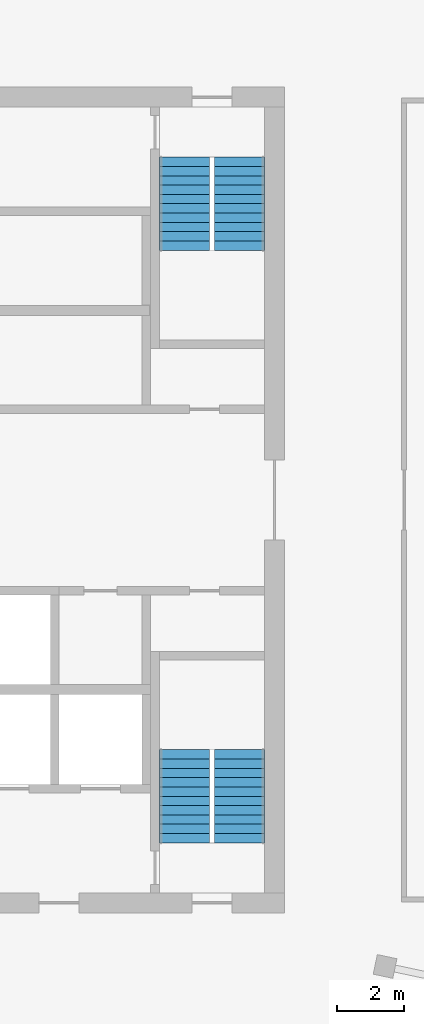
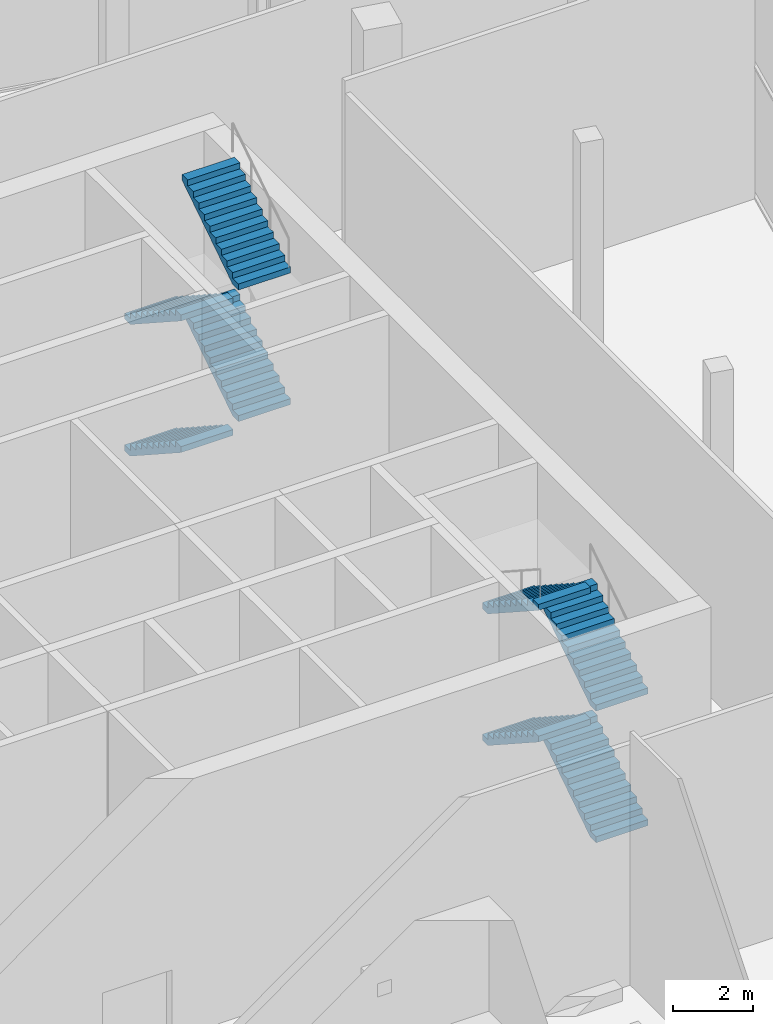
# One storey, part 12 of 14: 8 stair flights, 2 elements without a shape of their own.
"""IFC4 building model written with IfcOpenShell, lengths in metres."""

from ifc_helpers import new_model, si_unit, direction, frame, origin, place, context, subcontext, project, spatial, polyline, outline, extrude, material, type_object, element, aggregate, save


model = new_model("IFC4")

# Units and contexts
model_context = context("Model", 3, precision=1e-05, world=origin(), true_north=direction((0.0, 1.0)))
body_context = subcontext(model_context, "Body", "Model", "MODEL_VIEW")
ifc_project = project(units=[si_unit("LENGTHUNIT", "METRE"), si_unit("AREAUNIT", "SQUARE_METRE"), si_unit("VOLUMEUNIT", "CUBIC_METRE"), si_unit("PLANEANGLEUNIT", "RADIAN"), si_unit("MASSUNIT", "GRAM", prefix="KILO")], contexts=[model_context])

# Site, building, storey
site_placement = place(None, origin())
site = spatial("IfcSite", under=ifc_project, at=site_placement, CompositionType="ELEMENT")
building_placement = place(site_placement, origin())
building = spatial("IfcBuilding", under=site, at=building_placement, Name="Dilmun Exchange Tower", CompositionType="ELEMENT")
storey_placement = place(building_placement, frame((0.0, 0.0, 350.10009765625)))
storey = spatial("IfcBuildingStorey", under=building, at=storey_placement, Name="Crown L83", CompositionType="ELEMENT", Elevation=350.10009765625)

# Stair, stair flights
ifc_material = material(Name="Concrete C40/50", Category="concrete")
stair_type = type_object("IfcStairType", Name="Exit stair 1500 half-turn", PredefinedType="HALF_TURN_STAIR", material=ifc_material)
stair_1_placement = place(storey_placement, origin())
stair_1 = element("IfcStair", 1, at=stair_1_placement, inside=storey, type_object=stair_type, Name="Crown L83 Protected exit stair ST1", PredefinedType="HALF_TURN_STAIR")
stair_flight_type = type_object("IfcStairFlightType", Name="Exit stair flight 1500", PredefinedType="STRAIGHT", material=ifc_material)
stair_flight_1_placement = place(storey_placement, frame((9.39990234375, 10.300048828125, 0.0), z_axis=(0.0, 0.0, 1.0), x_axis=(0.0, -1.0, 0.0)))
stair_flight_1 = element("IfcStairFlight", 2, at=stair_flight_1_placement, type_object=stair_flight_type, Name="ST1 flight 1", NumberOfRisers=11, NumberOfTreads=10, PredefinedType="STRAIGHT", RiserHeight=0.181818182, TreadLength=0.28, context=body_context, shape_type="SweptSolid", body=[
    extrude(outline(polyline([(0.0, 0.0), (0.0, 0.181884765625), (0.280029296875, 0.181884765625), (0.280029296875, 0.363525390625), (0.56005859375, 0.363525390625), (0.56005859375, 0.54541015625), (0.840087890625, 0.54541015625), (0.840087890625, 0.727294921875), (1.1201171875, 0.727294921875), (1.1201171875, 0.9091796875), (1.39990234375, 0.9091796875), (1.39990234375, 1.0908203125), (1.679931640625, 1.0908203125), (1.679931640625, 1.272705078125), (1.9599609375, 1.272705078125), (1.9599609375, 1.45458984375), (2.239990234375, 1.45458984375), (2.239990234375, 1.636474609375), (2.52001953125, 1.636474609375), (2.52001953125, 1.818115234375), (2.800048828125, 1.818115234375), (2.800048828125, 2.0), (2.800048828125, 1.639404296875), (0.275146484375, 0.0), (0.0, 0.0)])), frame((0.0, 0.75, 0.0), z_axis=(0.0, -1.0, 0.0), x_axis=(1.0, 0.0, 0.0)), (0.0, 0.0, 1.0), 1.5),
])
stair_flight_2_placement = place(storey_placement, frame((11.050048828125, 7.5, 2.0), z_axis=(0.0, 0.0, 1.0), x_axis=(0.0, 1.0, 0.0)))
stair_flight_2 = element("IfcStairFlight", 3, at=stair_flight_2_placement, type_object=stair_flight_type, Name="ST1 flight 2", NumberOfRisers=11, NumberOfTreads=10, PredefinedType="STRAIGHT", RiserHeight=0.181818182, TreadLength=0.28, context=body_context, shape_type="SweptSolid", body=[
    extrude(outline(polyline([(0.0, 0.0), (0.0, 0.181884765625), (0.280029296875, 0.181884765625), (0.280029296875, 0.363525390625), (0.56005859375, 0.363525390625), (0.56005859375, 0.54541015625), (0.840087890625, 0.54541015625), (0.840087890625, 0.727294921875), (1.1201171875, 0.727294921875), (1.1201171875, 0.9091796875), (1.39990234375, 0.9091796875), (1.39990234375, 1.0908203125), (1.679931640625, 1.0908203125), (1.679931640625, 1.272705078125), (1.9599609375, 1.272705078125), (1.9599609375, 1.45458984375), (2.239990234375, 1.45458984375), (2.239990234375, 1.636474609375), (2.52001953125, 1.636474609375), (2.52001953125, 1.818115234375), (2.800048828125, 1.818115234375), (2.800048828125, 2.0), (2.800048828125, 1.639404296875), (0.275146484375, 0.0), (0.0, 0.0)])), frame((0.0, 0.75, 0.0), z_axis=(0.0, -1.0, 0.0), x_axis=(1.0, 0.0, 0.0)), (0.0, 0.0, 1.0), 1.5),
])
stair_flight_3_placement = place(storey_placement, frame((9.39990234375, 10.300048828125, 4.0), z_axis=(0.0, 0.0, 1.0), x_axis=(0.0, -1.0, 0.0)))
stair_flight_3 = element("IfcStairFlight", 4, at=stair_flight_3_placement, type_object=stair_flight_type, Name="ST1 flight 3", NumberOfRisers=11, NumberOfTreads=10, PredefinedType="STRAIGHT", RiserHeight=0.181818182, TreadLength=0.28, context=body_context, shape_type="SweptSolid", body=[
    extrude(outline(polyline([(0.0, 0.0), (0.0, 0.181884765625), (0.280029296875, 0.181884765625), (0.280029296875, 0.363525390625), (0.56005859375, 0.363525390625), (0.56005859375, 0.54541015625), (0.840087890625, 0.54541015625), (0.840087890625, 0.727294921875), (1.1201171875, 0.727294921875), (1.1201171875, 0.9091796875), (1.39990234375, 0.9091796875), (1.39990234375, 1.0908203125), (1.679931640625, 1.0908203125), (1.679931640625, 1.272705078125), (1.9599609375, 1.272705078125), (1.9599609375, 1.45458984375), (2.239990234375, 1.45458984375), (2.239990234375, 1.636474609375), (2.52001953125, 1.636474609375), (2.52001953125, 1.818115234375), (2.800048828125, 1.818115234375), (2.800048828125, 2.0), (2.800048828125, 1.639404296875), (0.275146484375, 0.0), (0.0, 0.0)])), frame((0.0, 0.75, 0.0), z_axis=(0.0, -1.0, 0.0), x_axis=(1.0, 0.0, 0.0)), (0.0, 0.0, 1.0), 1.5),
])
stair_flight_4_placement = place(storey_placement, frame((11.050048828125, 7.5, 6.0), z_axis=(0.0, 0.0, 1.0), x_axis=(0.0, 1.0, 0.0)))
stair_flight_4 = element("IfcStairFlight", 5, at=stair_flight_4_placement, type_object=stair_flight_type, Name="ST1 flight 4", NumberOfRisers=11, NumberOfTreads=10, PredefinedType="STRAIGHT", RiserHeight=0.181818182, TreadLength=0.28, context=body_context, shape_type="SweptSolid", body=[
    extrude(outline(polyline([(0.0, 0.0), (0.0, 0.181884765625), (0.280029296875, 0.181884765625), (0.280029296875, 0.363525390625), (0.56005859375, 0.363525390625), (0.56005859375, 0.54541015625), (0.840087890625, 0.54541015625), (0.840087890625, 0.727294921875), (1.1201171875, 0.727294921875), (1.1201171875, 0.9091796875), (1.39990234375, 0.9091796875), (1.39990234375, 1.0908203125), (1.679931640625, 1.0908203125), (1.679931640625, 1.272705078125), (1.9599609375, 1.272705078125), (1.9599609375, 1.45458984375), (2.239990234375, 1.45458984375), (2.239990234375, 1.636474609375), (2.52001953125, 1.636474609375), (2.52001953125, 1.818115234375), (2.800048828125, 1.818115234375), (2.800048828125, 2.0), (2.800048828125, 1.639404296875), (0.275146484375, 0.0), (0.0, 0.0)])), frame((0.0, 0.75, 0.0), z_axis=(0.0, -1.0, 0.0), x_axis=(1.0, 0.0, 0.0)), (0.0, 0.0, 1.0), 1.5),
])
aggregate(stair_1, [stair_flight_1, stair_flight_2, stair_flight_3, stair_flight_4])

stair_2_placement = place(storey_placement, origin())
stair_2 = element("IfcStair", 6, at=stair_2_placement, inside=storey, type_object=stair_type, Name="Crown L83 Protected exit stair ST3", PredefinedType="HALF_TURN_STAIR")
stair_flight_5_placement = place(storey_placement, frame((11.050048828125, -10.300048828125, 0.0), z_axis=(0.0, 0.0, 1.0), x_axis=(0.0, 1.0, 0.0)))
stair_flight_5 = element("IfcStairFlight", 7, at=stair_flight_5_placement, type_object=stair_flight_type, Name="ST3 flight 1", NumberOfRisers=11, NumberOfTreads=10, PredefinedType="STRAIGHT", RiserHeight=0.181818182, TreadLength=0.28, context=body_context, shape_type="SweptSolid", body=[
    extrude(outline(polyline([(0.0, 0.0), (0.0, 0.181884765625), (0.280029296875, 0.181884765625), (0.280029296875, 0.363525390625), (0.56005859375, 0.363525390625), (0.56005859375, 0.54541015625), (0.840087890625, 0.54541015625), (0.840087890625, 0.727294921875), (1.1201171875, 0.727294921875), (1.1201171875, 0.9091796875), (1.39990234375, 0.9091796875), (1.39990234375, 1.0908203125), (1.679931640625, 1.0908203125), (1.679931640625, 1.272705078125), (1.9599609375, 1.272705078125), (1.9599609375, 1.45458984375), (2.239990234375, 1.45458984375), (2.239990234375, 1.636474609375), (2.52001953125, 1.636474609375), (2.52001953125, 1.818115234375), (2.800048828125, 1.818115234375), (2.800048828125, 2.0), (2.800048828125, 1.639404296875), (0.275146484375, 0.0), (0.0, 0.0)])), frame((0.0, 0.75, 0.0), z_axis=(0.0, -1.0, 0.0), x_axis=(1.0, 0.0, 0.0)), (0.0, 0.0, 1.0), 1.5),
])
stair_flight_6_placement = place(storey_placement, frame((9.39990234375, -7.5, 2.0), z_axis=(0.0, 0.0, 1.0), x_axis=(0.0, -1.0, 0.0)))
stair_flight_6 = element("IfcStairFlight", 8, at=stair_flight_6_placement, type_object=stair_flight_type, Name="ST3 flight 2", NumberOfRisers=11, NumberOfTreads=10, PredefinedType="STRAIGHT", RiserHeight=0.181818182, TreadLength=0.28, context=body_context, shape_type="SweptSolid", body=[
    extrude(outline(polyline([(0.0, 0.0), (0.0, 0.181884765625), (0.280029296875, 0.181884765625), (0.280029296875, 0.363525390625), (0.56005859375, 0.363525390625), (0.56005859375, 0.54541015625), (0.840087890625, 0.54541015625), (0.840087890625, 0.727294921875), (1.1201171875, 0.727294921875), (1.1201171875, 0.9091796875), (1.39990234375, 0.9091796875), (1.39990234375, 1.0908203125), (1.679931640625, 1.0908203125), (1.679931640625, 1.272705078125), (1.9599609375, 1.272705078125), (1.9599609375, 1.45458984375), (2.239990234375, 1.45458984375), (2.239990234375, 1.636474609375), (2.52001953125, 1.636474609375), (2.52001953125, 1.818115234375), (2.800048828125, 1.818115234375), (2.800048828125, 2.0), (2.800048828125, 1.639404296875), (0.275146484375, 0.0), (0.0, 0.0)])), frame((0.0, 0.75, 0.0), z_axis=(0.0, -1.0, 0.0), x_axis=(1.0, 0.0, 0.0)), (0.0, 0.0, 1.0), 1.5),
])
stair_flight_7_placement = place(storey_placement, frame((11.050048828125, -10.300048828125, 4.0), z_axis=(0.0, 0.0, 1.0), x_axis=(0.0, 1.0, 0.0)))
stair_flight_7 = element("IfcStairFlight", 9, at=stair_flight_7_placement, type_object=stair_flight_type, Name="ST3 flight 3", NumberOfRisers=11, NumberOfTreads=10, PredefinedType="STRAIGHT", RiserHeight=0.181818182, TreadLength=0.28, context=body_context, shape_type="SweptSolid", body=[
    extrude(outline(polyline([(0.0, 0.0), (0.0, 0.181884765625), (0.280029296875, 0.181884765625), (0.280029296875, 0.363525390625), (0.56005859375, 0.363525390625), (0.56005859375, 0.54541015625), (0.840087890625, 0.54541015625), (0.840087890625, 0.727294921875), (1.1201171875, 0.727294921875), (1.1201171875, 0.9091796875), (1.39990234375, 0.9091796875), (1.39990234375, 1.0908203125), (1.679931640625, 1.0908203125), (1.679931640625, 1.272705078125), (1.9599609375, 1.272705078125), (1.9599609375, 1.45458984375), (2.239990234375, 1.45458984375), (2.239990234375, 1.636474609375), (2.52001953125, 1.636474609375), (2.52001953125, 1.818115234375), (2.800048828125, 1.818115234375), (2.800048828125, 2.0), (2.800048828125, 1.639404296875), (0.275146484375, 0.0), (0.0, 0.0)])), frame((0.0, 0.75, 0.0), z_axis=(0.0, -1.0, 0.0), x_axis=(1.0, 0.0, 0.0)), (0.0, 0.0, 1.0), 1.5),
])
stair_flight_8_placement = place(storey_placement, frame((9.39990234375, -7.5, 6.0), z_axis=(0.0, 0.0, 1.0), x_axis=(0.0, -1.0, 0.0)))
stair_flight_8 = element("IfcStairFlight", 10, at=stair_flight_8_placement, type_object=stair_flight_type, Name="ST3 flight 4", NumberOfRisers=11, NumberOfTreads=10, PredefinedType="STRAIGHT", RiserHeight=0.181818182, TreadLength=0.28, context=body_context, shape_type="SweptSolid", body=[
    extrude(outline(polyline([(0.0, 0.0), (0.0, 0.181884765625), (0.280029296875, 0.181884765625), (0.280029296875, 0.363525390625), (0.56005859375, 0.363525390625), (0.56005859375, 0.54541015625), (0.840087890625, 0.54541015625), (0.840087890625, 0.727294921875), (1.1201171875, 0.727294921875), (1.1201171875, 0.9091796875), (1.39990234375, 0.9091796875), (1.39990234375, 1.0908203125), (1.679931640625, 1.0908203125), (1.679931640625, 1.272705078125), (1.9599609375, 1.272705078125), (1.9599609375, 1.45458984375), (2.239990234375, 1.45458984375), (2.239990234375, 1.636474609375), (2.52001953125, 1.636474609375), (2.52001953125, 1.818115234375), (2.800048828125, 1.818115234375), (2.800048828125, 2.0), (2.800048828125, 1.639404296875), (0.275146484375, 0.0), (0.0, 0.0)])), frame((0.0, 0.75, 0.0), z_axis=(0.0, -1.0, 0.0), x_axis=(1.0, 0.0, 0.0)), (0.0, 0.0, 1.0), 1.5),
])
aggregate(stair_2, [stair_flight_5, stair_flight_6, stair_flight_7, stair_flight_8])

save(model, "model.ifc")
